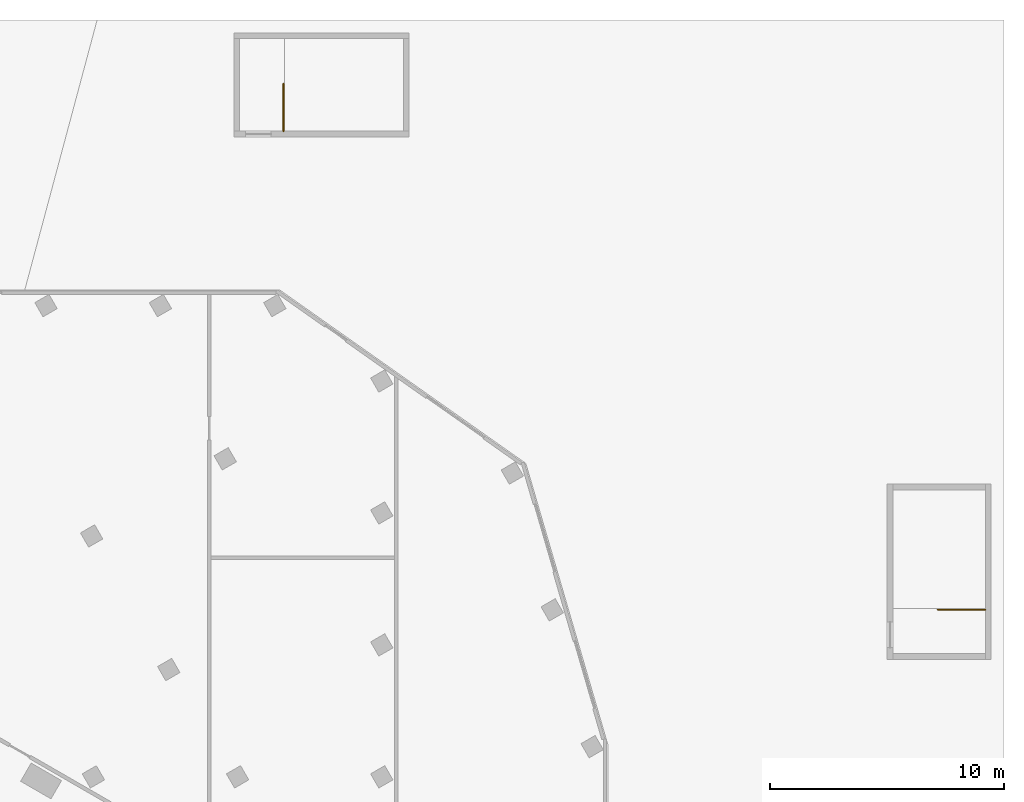
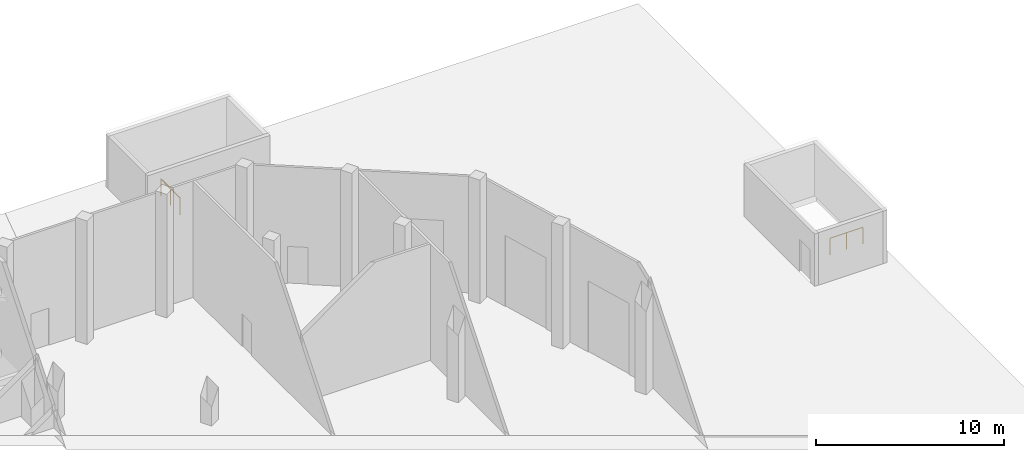
# One storey, part 29 of 30: 2 railings.
"""IFC4 building model written with IfcOpenShell, lengths in metres."""

from ifc_helpers import new_model, si_unit, direction, frame, origin, origin_2d, place, context, subcontext, project, spatial, circle, extrude, material, type_object, element, save


model = new_model("IFC4")

# Units and contexts
model_context = context("Model", 3, precision=1e-05, world=origin(), true_north=direction((0.0, 1.0)))
body_context = subcontext(model_context, "Body", "Model", "MODEL_VIEW")
ifc_project = project(units=[si_unit("LENGTHUNIT", "METRE"), si_unit("AREAUNIT", "SQUARE_METRE"), si_unit("VOLUMEUNIT", "CUBIC_METRE"), si_unit("PLANEANGLEUNIT", "RADIAN"), si_unit("MASSUNIT", "GRAM", prefix="KILO")], contexts=[model_context])

# Site, building, storey
site_placement = place(None, origin())
site = spatial("IfcSite", under=ifc_project, at=site_placement, CompositionType="ELEMENT")
building_placement = place(site_placement, origin())
building = spatial("IfcBuilding", under=site, at=building_placement, Name="Verdalira Terraces Hotel", CompositionType="ELEMENT")
storey_placement = place(building_placement, origin())
storey = spatial("IfcBuildingStorey", under=building, at=storey_placement, Name="L00", CompositionType="ELEMENT", Elevation=0.0)

# Railings
ifc_material = material(Name="Stainless steel", Category="steel")
railing_type = type_object("IfcRailingType", Name="Stair guard 1100", PredefinedType="GUARDRAIL", material=ifc_material)
railing_1_placement = place(storey_placement, frame((22.175049, 48.25, 0.0)))
element("IfcRailing", 1, at=railing_1_placement, inside=storey, type_object=railing_type, Name="L00 Basement stair 3 top well guard 1", PredefinedType="GUARDRAIL", context=body_context, shape_type="SweptSolid", body=[
    extrude(circle(Radius=0.023926, at=origin_2d()), frame((0.0, 0.0, 1.076172), z_axis=(0.0, 1.0, 0.0), x_axis=(-1.0, 0.0, 0.0)), (0.0, 0.0, 1.0), 2.024902),
    extrude(circle(Radius=0.020996, at=origin_2d()), origin(), (0.0, 0.0, 1.0), 1.052002),
    extrude(circle(Radius=0.020996, at=origin_2d()), frame((0.0, 1.012451, 0.0)), (0.0, 0.0, 1.0), 1.052002),
    extrude(circle(Radius=0.020996, at=origin_2d()), frame((0.0, 2.024902, 0.0)), (0.0, 0.0, 1.0), 1.052002),
])
railing_2_placement = place(storey_placement, frame((52.199951, 27.774902, 0.0)))
element("IfcRailing", 2, at=railing_2_placement, inside=storey, type_object=railing_type, Name="L00 Basement stair 5 top well guard 1", PredefinedType="GUARDRAIL", context=body_context, shape_type="SweptSolid", body=[
    extrude(circle(Radius=0.023926, at=origin_2d()), frame((0.0, 0.0, 1.076172), z_axis=(-1.0, 0.0, 0.0), x_axis=(0.0, -1.0, 0.0)), (0.0, 0.0, 1.0), 2.024902),
    extrude(circle(Radius=0.020996, at=origin_2d()), origin(), (0.0, 0.0, 1.0), 1.052002),
    extrude(circle(Radius=0.020996, at=origin_2d()), frame((-1.012451, 0.0, 0.0)), (0.0, 0.0, 1.0), 1.052002),
    extrude(circle(Radius=0.020996, at=origin_2d()), frame((-2.024902, 0.0, 0.0)), (0.0, 0.0, 1.0), 1.052002),
])

save(model, "model.ifc")
